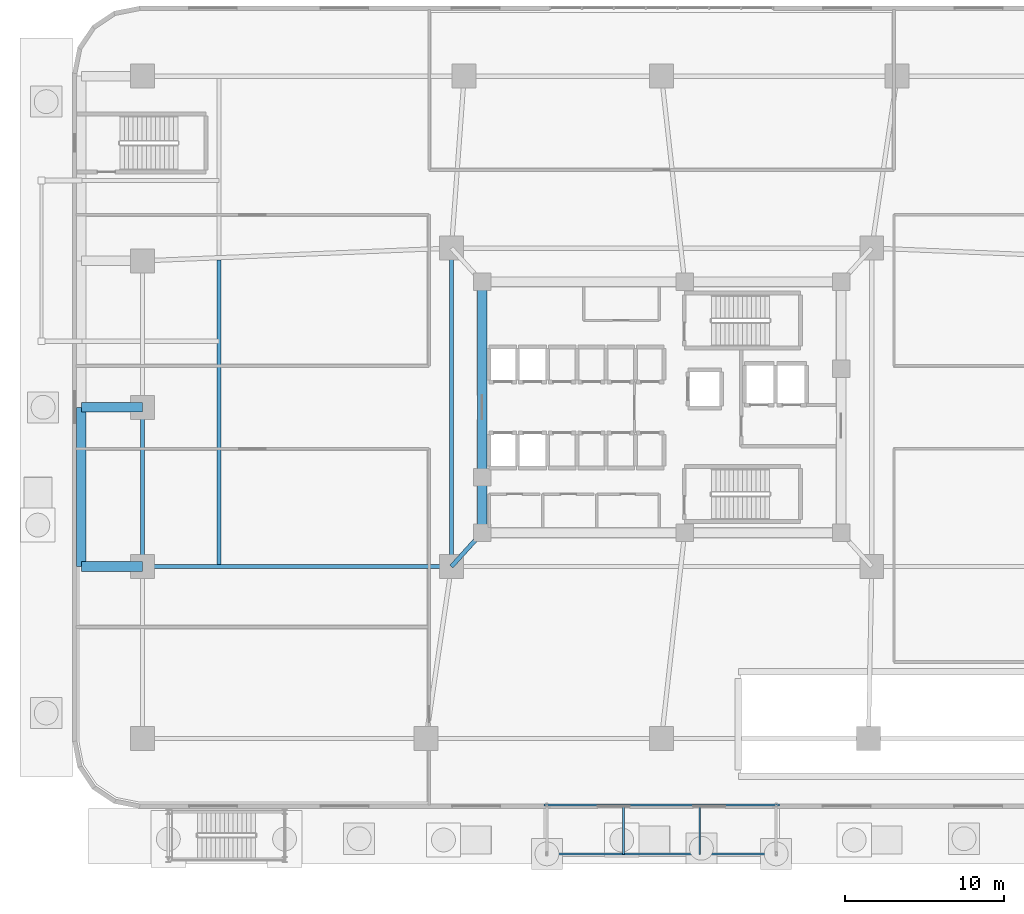
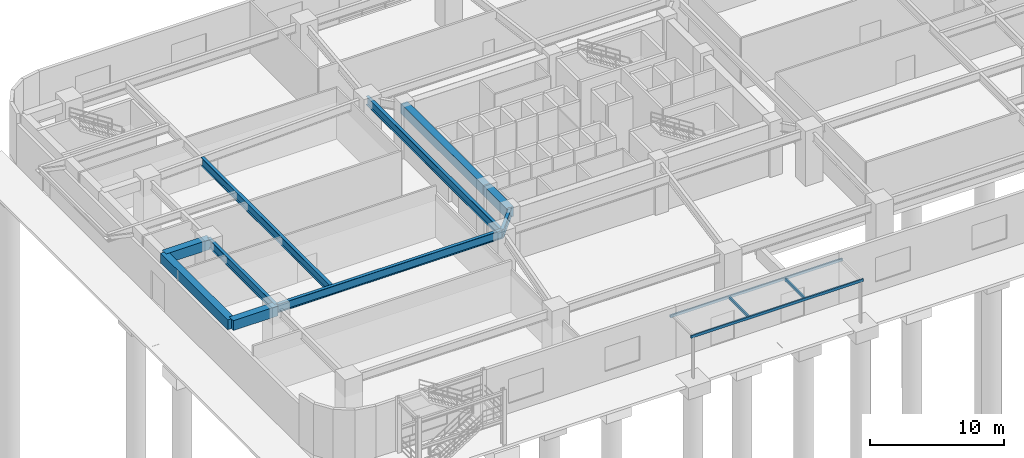
# One storey, part 5 of 18: 10 beams, 4 members.
"""IFC4 building model written with IfcOpenShell, lengths in metres."""

from ifc_helpers import new_model, si_unit, direction, frame, origin, origin_2d, place, context, subcontext, project, spatial, rectangle, hollow_rectangle, i_section, extrude, material, material_profile, profile_set, type_object, element, save


model = new_model("IFC4")

# Units and contexts
model_context = context("Model", 3, precision=1e-05, world=origin(), true_north=direction((0.0, 1.0)))
body_context = subcontext(model_context, "Body", "Model", "MODEL_VIEW")
ifc_project = project(units=[si_unit("LENGTHUNIT", "METRE"), si_unit("AREAUNIT", "SQUARE_METRE"), si_unit("VOLUMEUNIT", "CUBIC_METRE"), si_unit("PLANEANGLEUNIT", "RADIAN"), si_unit("MASSUNIT", "GRAM", prefix="KILO")], contexts=[model_context])

# Site, building, storey
site_placement = place(None, origin())
site = spatial("IfcSite", under=ifc_project, at=site_placement, CompositionType="ELEMENT")
building_placement = place(site_placement, origin())
building = spatial("IfcBuilding", under=site, at=building_placement, Name="Zulverin Broadcast Headquarters", CompositionType="ELEMENT")
storey_placement = place(building_placement, origin())
storey = spatial("IfcBuildingStorey", under=building, at=storey_placement, Name="L00", CompositionType="ELEMENT", Elevation=0.0)

# Beams
ifc_material_1 = material(Name="Concrete C60/75", Category="concrete")
ifc_material_profile_1 = material_profile(ifc_material_1, rectangle(XDim=0.60009765625, YDim=0.89990234375, at=origin_2d()), Name="Concrete C60/75", Category="concrete")
ifc_profile_set_1 = profile_set([ifc_material_profile_1], Name="Concrete C60/75")
beam_type_1 = type_object("IfcBeamType", Name="BM-CB-600x900", PredefinedType="LINTEL", material=ifc_profile_set_1)
beam_1_placement = place(storey_placement, frame((25.72509765625, 33.074951171875, 4.2099609375), z_axis=(0.0, -1.0, 0.0), x_axis=(1.0, 0.0, 0.0)))
element("IfcBeam", 1, at=beam_1_placement, inside=storey, type_object=beam_type_1, Name="L00 Core Coupling Girder K07-K08", PredefinedType="LINTEL", context=body_context, shape_type="SweptSolid", body=[
    extrude(rectangle(XDim=0.60009765625, YDim=0.89990234375, at=origin_2d()), origin(), (0.0, 0.0, 1.0), 12.27490234375),
])
beam_2_placement = place(storey_placement, frame((25.72509765625, 20.800048828125, 4.2099609375), z_axis=(0.0, -1.0, 0.0), x_axis=(1.0, 0.0, 0.0)))
element("IfcBeam", 2, at=beam_2_placement, inside=storey, type_object=beam_type_1, Name="L00 Core Coupling Girder K08-K01", PredefinedType="LINTEL", context=body_context, shape_type="SweptSolid", body=[
    extrude(rectangle(XDim=0.60009765625, YDim=0.89990234375, at=origin_2d()), origin(), (0.0, 0.0, 1.0), 3.47509765625),
])
ifc_material_2 = material(Name="Concrete C40/50", Category="concrete")
ifc_material_profile_2 = material_profile(ifc_material_2, rectangle(XDim=0.60009765625, YDim=0.89990234375, at=origin_2d()), Name="Concrete C40/50", Category="concrete")
ifc_profile_set_2 = profile_set([ifc_material_profile_2], Name="Concrete C40/50")
beam_type_2 = type_object("IfcBeamType", Name="BM-RC-600x900", PredefinedType="BEAM", material=ifc_profile_set_2)
for number, where, z_axis, x_axis, name in (
    (3, (4.39990234375, 15.199951171875, 4.2099609375), (-1.0, 0.0, 0.0), (0.0, -1.0, 0.0), "L00 West Perimeter Bracket Girder WBR-1"),
    (4, (4.39990234375, 25.199951171875, 4.2099609375), (-1.0, 0.0, 0.0), (0.0, -1.0, 0.0), "L00 West Perimeter Bracket Girder WBR-2"),
):
    element("IfcBeam", number, at=place(storey_placement, frame(where, z_axis=z_axis, x_axis=x_axis)), inside=storey, type_object=beam_type_2, Name=name, PredefinedType="BEAM", context=body_context, shape_type="SweptSolid", body=[
        extrude(rectangle(XDim=0.60009765625, YDim=0.89990234375, at=origin_2d()), origin(), (0.0, 0.0, 1.0), 3.849853515625),
    ])
beam_3_placement = place(storey_placement, frame((0.550048828125, 15.199951171875, 4.2099609375), z_axis=(0.0, 1.0, 0.0), x_axis=(-1.0, 0.0, 0.0)))
element("IfcBeam", 5, at=beam_3_placement, inside=storey, type_object=beam_type_2, Name="L00 West Edge Spandrel Girder WEG-1", PredefinedType="BEAM", context=body_context, shape_type="SweptSolid", body=[
    extrude(rectangle(XDim=0.60009765625, YDim=0.89990234375, at=origin_2d()), origin(), (0.0, 0.0, 1.0), 10.0),
])
ifc_material_3 = material(Name="Structural steel S355JR", Category="steel")
ifc_material_profile_3 = material_profile(ifc_material_3, i_section(OverallWidth=0.26806640625, OverallDepth=0.769775390625, WebThickness=0.015625, FlangeThickness=0.025390625, at=origin_2d()), Name="Structural steel S355JR", Category="steel")
ifc_profile_set_3 = profile_set([ifc_material_profile_3], Name="Structural steel S355JR")
beam_type_3 = type_object("IfcBeamType", Name="BM-UB-762", PredefinedType="BEAM", material=ifc_profile_set_3)
beam_4_placement = place(storey_placement, frame((4.39990234375, 25.199951171875, 4.275146484375), z_axis=(0.0, -1.0, 0.0), x_axis=(1.0, 0.0, 0.0)))
element("IfcBeam", 6, at=beam_4_placement, inside=storey, type_object=beam_type_3, Name="L00 Podium Primary Girder P12-P11", PredefinedType="BEAM", context=body_context, shape_type="SweptSolid", body=[
    extrude(i_section(OverallWidth=0.26806640625, OverallDepth=0.769775390625, WebThickness=0.015625, FlangeThickness=0.025390625, at=origin_2d()), origin(), (0.0, 0.0, 1.0), 10.0),
])
beam_5_placement = place(storey_placement, frame((23.800048828125, 15.199951171875, 4.275146484375), z_axis=(0.671379160881, 0.741114041383, 0.0), x_axis=(-0.741114041383, 0.671379160881, 0.0)))
element("IfcBeam", 7, at=beam_5_placement, inside=storey, type_object=beam_type_3, Name="L00 Podium Primary Girder M01-K01", PredefinedType="BEAM", context=body_context, shape_type="SweptSolid", body=[
    extrude(i_section(OverallWidth=0.26806640625, OverallDepth=0.769775390625, WebThickness=0.015625, FlangeThickness=0.025390625, at=origin_2d()), origin(), (0.0, 0.0, 1.0), 2.8671875),
])
beam_6_placement = place(storey_placement, frame((23.800048828125, 35.199951171875, 4.275146484375), z_axis=(0.0, -1.0, 0.0), x_axis=(1.0, 0.0, 0.0)))
element("IfcBeam", 8, at=beam_6_placement, inside=storey, type_object=beam_type_3, Name="L00 Podium Primary Girder M04-M01", PredefinedType="BEAM", context=body_context, shape_type="SweptSolid", body=[
    extrude(i_section(OverallWidth=0.26806640625, OverallDepth=0.769775390625, WebThickness=0.015625, FlangeThickness=0.025390625, at=origin_2d()), origin(), (0.0, 0.0, 1.0), 20.0),
])
beam_7_placement = place(storey_placement, frame((4.39990234375, 15.199951171875, 4.275146484375), z_axis=(1.0, 0.0, 0.0), x_axis=(0.0, 1.0, 0.0)))
element("IfcBeam", 9, at=beam_7_placement, inside=storey, type_object=beam_type_3, Name="L00 West Studio South Tie Girder", PredefinedType="BEAM", context=body_context, shape_type="SweptSolid", body=[
    extrude(i_section(OverallWidth=0.26806640625, OverallDepth=0.769775390625, WebThickness=0.015625, FlangeThickness=0.025390625, at=origin_2d()), origin(), (0.0, 0.0, 1.0), 19.400146484375),
])
beam_8_placement = place(storey_placement, frame((9.199951171875, 15.333984375, 4.275146484375), z_axis=(0.0, 1.0, 0.0), x_axis=(-1.0, 0.0, 0.0)))
element("IfcBeam", 10, at=beam_8_placement, inside=storey, type_object=beam_type_3, Name="L00 West Back-Span Anchor Beam WSBA-1", PredefinedType="BEAM", context=body_context, shape_type="SweptSolid", body=[
    extrude(i_section(OverallWidth=0.26806640625, OverallDepth=0.769775390625, WebThickness=0.015625, FlangeThickness=0.025390625, at=origin_2d()), origin(), (0.0, 0.0, 1.0), 19.1298828125),
])

# Members
ifc_material_4 = material(Name="Anodized pale-metal steel canopy rafter S355JR", Category="steel")
ifc_material_profile_4 = material_profile(ifc_material_4, hollow_rectangle(XDim=0.1201171875, YDim=0.239990234375, WallThickness=0.008056640625, at=origin_2d()), Name="Anodized pale-metal steel canopy rafter S355JR", Category="steel")
ifc_profile_set_4 = profile_set([ifc_material_profile_4], Name="Anodized pale-metal steel canopy rafter S355JR")
member_type = type_object("IfcMemberType", Name="MBR-CANOPY-RFT", PredefinedType="RAFTER", material=ifc_profile_set_4)
for number, where, z_axis, x_axis, name in (
    (11, (29.60009765625, -2.85009765625, 3.800048828125), (1.0, 0.0, 0.0), (0.0, 1.0, 0.0), "L00 South Entrance Canopy Front Header"),
    (12, (29.60009765625, 0.219970703125, 3.800048828125), (1.0, 0.0, 0.0), (0.0, 1.0, 0.0), "L00 South Entrance Canopy Rear Ledger Beam"),
):
    element("IfcMember", number, at=place(storey_placement, frame(where, z_axis=z_axis, x_axis=x_axis)), inside=storey, type_object=member_type, Name=name, PredefinedType="RAFTER", context=body_context, shape_type="SweptSolid", body=[
        extrude(hollow_rectangle(XDim=0.1201171875, YDim=0.239990234375, WallThickness=0.008056640625, at=origin_2d()), origin(), (0.0, 0.0, 1.0), 14.7998046875),
    ])
for number, where, z_axis, x_axis, name in (
    (13, (34.60009765625, 0.219970703125, 3.85009765625), (0.0, -1.0, 0.0), (1.0, 0.0, 0.0), "L00 South Entrance Canopy Steel Rafter 2"),
    (14, (39.39990234375, 0.219970703125, 3.85009765625), (0.0, -1.0, 0.0), (1.0, 0.0, 0.0), "L00 South Entrance Canopy Steel Rafter 3"),
):
    element("IfcMember", number, at=place(storey_placement, frame(where, z_axis=z_axis, x_axis=x_axis)), inside=storey, type_object=member_type, Name=name, PredefinedType="RAFTER", context=body_context, shape_type="SweptSolid", body=[
        extrude(hollow_rectangle(XDim=0.1201171875, YDim=0.239990234375, WallThickness=0.008056640625, at=origin_2d()), origin(), (0.0, 0.0, 1.0), 3.119873046875),
    ])

save(model, "model.ifc")
